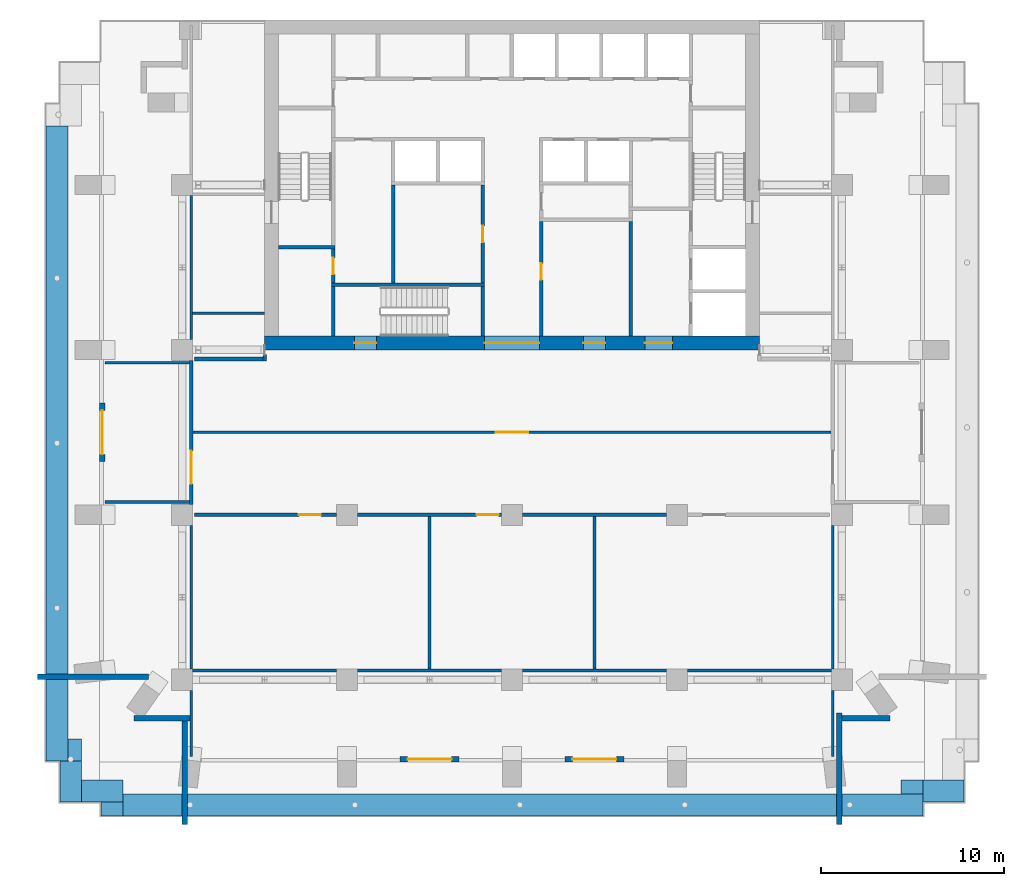
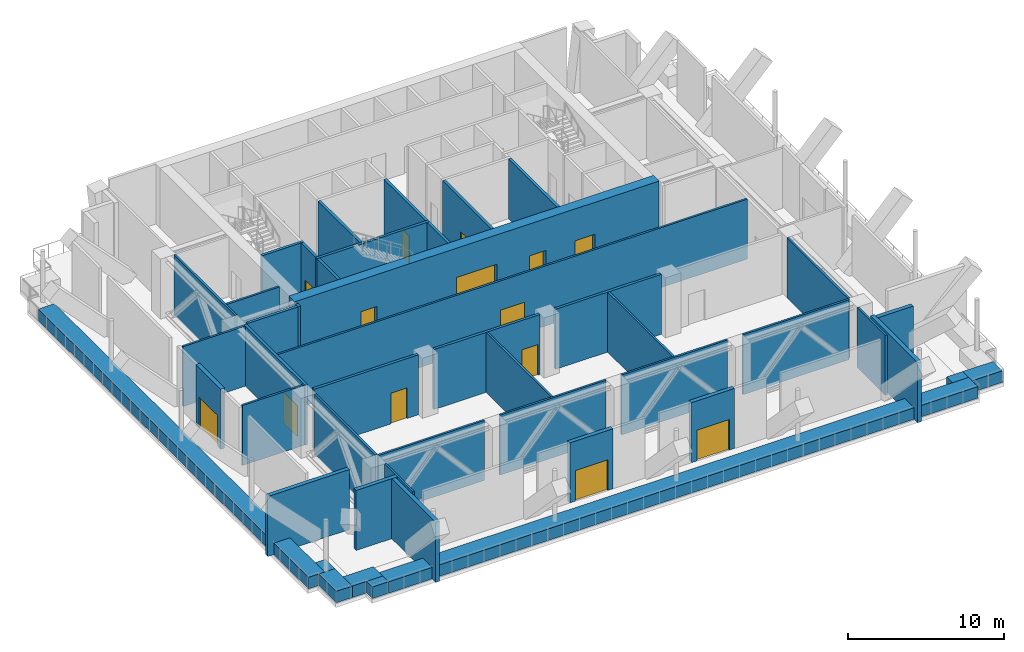
# One storey, part 3 of 9: 47 walls, 14 doors, 14 openings.
"""IFC4 building model written with IfcOpenShell, lengths in metres."""

from ifc_helpers import new_model, si_unit, direction, frame, frame_2d, origin, place, context, subcontext, project, spatial, rectangle, extrude, material, layer, layer_set, type_object, element, fill, save


model = new_model("IFC4")

# Units and contexts
model_context = context("Model", 3, precision=1e-05, world=origin(), true_north=direction((0.0, 1.0)))
body_context = subcontext(model_context, "Body", "Model", "MODEL_VIEW")
ifc_project = project(units=[si_unit("LENGTHUNIT", "METRE"), si_unit("AREAUNIT", "SQUARE_METRE"), si_unit("VOLUMEUNIT", "CUBIC_METRE"), si_unit("PLANEANGLEUNIT", "RADIAN"), si_unit("MASSUNIT", "GRAM", prefix="KILO")], contexts=[model_context])

# Site, building, storey
site_placement = place(None, origin())
site = spatial("IfcSite", under=ifc_project, at=site_placement, CompositionType="ELEMENT")
building_placement = place(site_placement, origin())
building = spatial("IfcBuilding", under=site, at=building_placement, Name="Orbiselva Terraces", CompositionType="ELEMENT")
storey_placement = place(building_placement, frame((0.0, 0.0, 179.4)))
storey = spatial("IfcBuildingStorey", under=building, at=storey_placement, Name="L45", CompositionType="ELEMENT", Elevation=179.4)

# Wall, openings, doors
ifc_material_1 = material(Name="Concrete C80/95", Category="concrete")
ifc_layer_1 = layer(ifc_material_1, 0.75)
ifc_layer_set_1 = layer_set([ifc_layer_1], Name="Concrete C80/95")
wall_type_1 = type_object("IfcWallType", Name="CORE WALL 750", PredefinedType="SHEAR", material=ifc_layer_set_1)
wall_1_placement = place(storey_placement, frame((-13.5, 4.875, -0.3), z_axis=(0.0, 0.0, 1.0), x_axis=(1.0, 0.0, 0.0)))
wall_1 = element("IfcWall", 1, at=wall_1_placement, inside=storey, type_object=wall_type_1, Name="Core wall L45 south", PredefinedType="SHEAR", context=body_context, shape_type="SweptSolid", body=[
    extrude(rectangle(XDim=27.0, YDim=0.75, at=frame_2d((13.5, 0.0))), origin(), (0.0, 0.0, 1.0), 5.0),
])
opening_1_placement = place(wall_1_placement, frame((12.0, 0.0, 0.3)))
opening_1 = element("IfcOpeningElement", 2, at=opening_1_placement, cuts=wall_1, Name="Opening DL3000", PredefinedType="OPENING", context=body_context, shape_type="SweptSolid", body=[
    extrude(rectangle(XDim=3.0, YDim=2.4, at=frame_2d((1.5, 1.2))), frame((0.0, 0.385, 0.0), z_axis=(0.0, -1.0, 0.0), x_axis=(1.0, 0.0, 0.0)), (0.0, 0.0, 1.0), 0.77),
])
opening_2_placement = place(wall_1_placement, frame((4.9, 0.0, 0.3)))
opening_2 = element("IfcOpeningElement", 3, at=opening_2_placement, cuts=wall_1, Name="Opening DS1200", PredefinedType="OPENING", context=body_context, shape_type="SweptSolid", body=[
    extrude(rectangle(XDim=1.2, YDim=2.2, at=frame_2d((0.6, 1.1))), frame((0.0, 0.385, 0.0), z_axis=(0.0, -1.0, 0.0), x_axis=(1.0, 0.0, 0.0)), (0.0, 0.0, 1.0), 0.77),
])
opening_3_placement = place(wall_1_placement, frame((20.75, 0.0, 0.3)))
opening_3 = element("IfcOpeningElement", 4, at=opening_3_placement, cuts=wall_1, Name="Opening DF1500", PredefinedType="OPENING", context=body_context, shape_type="SweptSolid", body=[
    extrude(rectangle(XDim=1.5, YDim=2.2, at=frame_2d((0.75, 1.1))), frame((0.0, 0.385, 0.0), z_axis=(0.0, -1.0, 0.0), x_axis=(1.0, 0.0, 0.0)), (0.0, 0.0, 1.0), 0.77),
])
opening_4_placement = place(wall_1_placement, frame((17.4, 0.0, 0.3)))
opening_4 = element("IfcOpeningElement", 5, at=opening_4_placement, cuts=wall_1, Name="Opening DV1200", PredefinedType="OPENING", context=body_context, shape_type="SweptSolid", body=[
    extrude(rectangle(XDim=1.2, YDim=2.2, at=frame_2d((0.6, 1.1))), frame((0.0, 0.385, 0.0), z_axis=(0.0, -1.0, 0.0), x_axis=(1.0, 0.0, 0.0)), (0.0, 0.0, 1.0), 0.77),
])
ifc_material_2 = material(Name="Steel fire door", Category="steel")
door_type_1 = type_object("IfcDoorType", Name="FFL DOOR 1500", OperationType="DOUBLE_DOOR_SINGLE_SWING", PredefinedType="DOOR", material=ifc_material_2)
door_1_placement = place(opening_3_placement, frame((1.5, 0.0, 0.0), z_axis=(0.0, 0.0, 1.0), x_axis=(-1.0, 0.0, 0.0)))
door_1 = element("IfcDoor", 6, at=door_1_placement, inside=storey, type_object=door_type_1, Name="L45 FIRE-FIGHTING LOBBY door", OperationType="DOUBLE_DOOR_SINGLE_SWING", OverallHeight=2.2, OverallWidth=1.5, PredefinedType="DOOR", context=body_context, shape_type="SweptSolid", body=[
    extrude(rectangle(XDim=1.5, YDim=2.2, at=frame_2d((0.75, 1.1))), frame((0.0, 0.025, 0.0), z_axis=(0.0, -1.0, 0.0), x_axis=(1.0, 0.0, 0.0)), (0.0, 0.0, 1.0), 0.05),
])
fill(opening_3, door_1)
door_type_2 = type_object("IfcDoorType", Name="LOBBY DOOR 3000", OperationType="DOUBLE_DOOR_SINGLE_SWING", PredefinedType="DOOR", material=ifc_material_2)
door_2_placement = place(opening_1_placement, frame((3.0, 0.0, 0.0), z_axis=(0.0, 0.0, 1.0), x_axis=(-1.0, 0.0, 0.0)))
door_2 = element("IfcDoor", 7, at=door_2_placement, inside=storey, type_object=door_type_2, Name="L45 LIFT LOBBY door", OperationType="DOUBLE_DOOR_SINGLE_SWING", OverallHeight=2.4, OverallWidth=3.0, PredefinedType="DOOR", context=body_context, shape_type="SweptSolid", body=[
    extrude(rectangle(XDim=3.0, YDim=2.4, at=frame_2d((1.5, 1.2))), frame((0.0, 0.025, 0.0), z_axis=(0.0, -1.0, 0.0), x_axis=(1.0, 0.0, 0.0)), (0.0, 0.0, 1.0), 0.05),
])
fill(opening_1, door_2)
door_type_3 = type_object("IfcDoorType", Name="SERVICE DOOR 1200", OperationType="NOTDEFINED", PredefinedType="DOOR", material=ifc_material_2)
door_3_placement = place(opening_4_placement, frame((1.2, 0.0, 0.0), z_axis=(0.0, 0.0, 1.0), x_axis=(-1.0, 0.0, 0.0)))
door_3 = element("IfcDoor", 8, at=door_3_placement, inside=storey, type_object=door_type_3, Name="L45 CHILLED WATER PUMP ROOM door", OperationType="SINGLE_SWING_RIGHT", OverallHeight=2.2, OverallWidth=1.2, PredefinedType="DOOR", context=body_context, shape_type="SweptSolid", body=[
    extrude(rectangle(XDim=1.2, YDim=2.2, at=frame_2d((0.6, 1.1))), frame((0.0, 0.025, 0.0), z_axis=(0.0, -1.0, 0.0), x_axis=(1.0, 0.0, 0.0)), (0.0, 0.0, 1.0), 0.05),
])
fill(opening_4, door_3)
door_type_4 = type_object("IfcDoorType", Name="STAIR DOOR 1200", OperationType="NOTDEFINED", PredefinedType="DOOR", material=ifc_material_2)
door_4_placement = place(opening_2_placement, frame((1.2, 0.0, 0.0), z_axis=(0.0, 0.0, 1.0), x_axis=(-1.0, 0.0, 0.0)))
door_4 = element("IfcDoor", 9, at=door_4_placement, inside=storey, type_object=door_type_4, Name="L45 EXIT STAIR S3 door", OperationType="SINGLE_SWING_LEFT", OverallHeight=2.2, OverallWidth=1.2, PredefinedType="DOOR", context=body_context, shape_type="SweptSolid", body=[
    extrude(rectangle(XDim=1.2, YDim=2.2, at=frame_2d((0.6, 1.1))), frame((0.0, 0.025, 0.0), z_axis=(0.0, -1.0, 0.0), x_axis=(1.0, 0.0, 0.0)), (0.0, 0.0, 1.0), 0.05),
])
fill(opening_2, door_4)

# Wall, opening, door
ifc_material_3 = material(Name="Masonry blockwork", Category="masonry")
ifc_layer_2 = layer(ifc_material_3, 0.2)
ifc_layer_set_2 = layer_set([ifc_layer_2], Name="Masonry blockwork")
wall_type_2 = type_object("IfcWallType", Name="CORE-WALL-PARTITION-200", PredefinedType="PARTITIONING", material=ifc_layer_set_2)
wall_2_placement = place(storey_placement, frame((-9.75, 8.15, 0.0), z_axis=(0.0, 0.0, 1.0), x_axis=(0.0, 1.0, 0.0)))
wall_2 = element("IfcWall", 10, at=wall_2_placement, inside=storey, type_object=wall_type_2, Name="L45 core wall 05", PredefinedType="PARTITIONING", context=body_context, shape_type="SweptSolid", body=[
    extrude(rectangle(XDim=1.85, YDim=0.2, at=frame_2d((0.925, 0.0))), origin(), (0.0, 0.0, 1.0), 4.7),
])
opening_5_placement = place(wall_2_placement, frame((0.475, 0.0, 0.0)))
opening_5 = element("IfcOpeningElement", 11, at=opening_5_placement, cuts=wall_2, Name="Opening DR900", PredefinedType="OPENING", context=body_context, shape_type="SweptSolid", body=[
    extrude(rectangle(XDim=0.9, YDim=2.1, at=frame_2d((0.45, 1.05))), frame((0.0, 0.11, 0.0), z_axis=(0.0, -1.0, 0.0), x_axis=(1.0, 0.0, 0.0)), (0.0, 0.0, 1.0), 0.22),
])
door_type_5 = type_object("IfcDoorType", Name="ROOM DOOR 900", OperationType="NOTDEFINED", PredefinedType="DOOR", material=ifc_material_2)
door_5_placement = place(opening_5_placement, origin())
door_5 = element("IfcDoor", 12, at=door_5_placement, inside=storey, type_object=door_type_5, Name="L45 ELECTRICAL SWITCH ROOM door", OperationType="SINGLE_SWING_RIGHT", OverallHeight=2.1, OverallWidth=0.9, PredefinedType="DOOR", context=body_context, shape_type="SweptSolid", body=[
    extrude(rectangle(XDim=0.9, YDim=2.1, at=frame_2d((0.45, 1.05))), frame((0.0, 0.025, 0.0), z_axis=(0.0, -1.0, 0.0), x_axis=(1.0, 0.0, 0.0)), (0.0, 0.0, 1.0), 0.05),
])
fill(opening_5, door_5)

# Walls
wall_3_placement = place(storey_placement, frame((-6.475, 8.15, 0.0), z_axis=(0.0, 0.0, 1.0), x_axis=(0.0, 1.0, 0.0)))
element("IfcWall", 13, at=wall_3_placement, inside=storey, type_object=wall_type_2, Name="L45 core wall 13", PredefinedType="PARTITIONING", context=body_context, shape_type="SweptSolid", body=[
    extrude(rectangle(XDim=5.35, YDim=0.2, at=frame_2d((2.675, 0.0))), origin(), (0.0, 0.0, 1.0), 4.7),
])
ifc_material_4 = material(Name="Concrete C60/75", Category="concrete")
ifc_layer_3 = layer(ifc_material_4, 0.2)
ifc_layer_set_3 = layer_set([ifc_layer_3], Name="Concrete C60/75")
wall_type_3 = type_object("IfcWallType", Name="CORE-WALL-SHEAR-200", PredefinedType="SHEAR", material=ifc_layer_set_3)
wall_4_placement = place(storey_placement, frame((-12.75, 10.1, 0.0), z_axis=(0.0, 0.0, 1.0), x_axis=(1.0, 0.0, 0.0)))
element("IfcWall", 14, at=wall_4_placement, inside=storey, type_object=wall_type_3, Name="L45 core wall 01", PredefinedType="SHEAR", context=body_context, shape_type="SweptSolid", body=[
    extrude(rectangle(XDim=3.1, YDim=0.2, at=frame_2d((1.55, 0.0))), origin(), (0.0, 0.0, 1.0), 4.7),
])
wall_5_placement = place(storey_placement, frame((-9.75, 5.25, 0.0), z_axis=(0.0, 0.0, 1.0), x_axis=(0.0, 1.0, 0.0)))
element("IfcWall", 15, at=wall_5_placement, inside=storey, type_object=wall_type_3, Name="L45 core wall 03", PredefinedType="SHEAR", context=body_context, shape_type="SweptSolid", body=[
    extrude(rectangle(XDim=2.7, YDim=0.2, at=frame_2d((1.35, 0.0))), origin(), (0.0, 0.0, 1.0), 4.7),
])
wall_6_placement = place(storey_placement, frame((-9.85, 8.05, 0.0), z_axis=(0.0, 0.0, 1.0), x_axis=(1.0, 0.0, 0.0)))
element("IfcWall", 16, at=wall_6_placement, inside=storey, type_object=wall_type_3, Name="L45 core wall 04", PredefinedType="SHEAR", context=body_context, shape_type="SweptSolid", body=[
    extrude(rectangle(XDim=8.35, YDim=0.2, at=frame_2d((4.175, 0.0))), origin(), (0.0, 0.0, 1.0), 4.7),
])
wall_7_placement = place(storey_placement, frame((-1.6, 5.25, 0.0), z_axis=(0.0, 0.0, 1.0), x_axis=(0.0, 1.0, 0.0)))
element("IfcWall", 17, at=wall_7_placement, inside=storey, type_object=wall_type_3, Name="L45 core wall 18", PredefinedType="SHEAR", context=body_context, shape_type="SweptSolid", body=[
    extrude(rectangle(XDim=2.7, YDim=0.2, at=frame_2d((1.35, 0.0))), origin(), (0.0, 0.0, 1.0), 4.7),
])

# Wall, opening, door
wall_8_placement = place(storey_placement, frame((-1.6, 8.15, 0.0), z_axis=(0.0, 0.0, 1.0), x_axis=(0.0, 1.0, 0.0)))
wall_8 = element("IfcWall", 18, at=wall_8_placement, inside=storey, type_object=wall_type_3, Name="L45 core wall 19", PredefinedType="SHEAR", context=body_context, shape_type="SweptSolid", body=[
    extrude(rectangle(XDim=5.35, YDim=0.2, at=frame_2d((2.675, 0.0))), origin(), (0.0, 0.0, 1.0), 4.7),
])
opening_6_placement = place(wall_8_placement, frame((2.225, 0.0, 0.0)))
opening_6 = element("IfcOpeningElement", 19, at=opening_6_placement, cuts=wall_8, Name="Opening DR900", PredefinedType="OPENING", context=body_context, shape_type="SweptSolid", body=[
    extrude(rectangle(XDim=0.9, YDim=2.1, at=frame_2d((0.45, 1.05))), frame((0.0, 0.11, 0.0), z_axis=(0.0, -1.0, 0.0), x_axis=(1.0, 0.0, 0.0)), (0.0, 0.0, 1.0), 0.22),
])
door_6_placement = place(opening_6_placement, origin())
door_6 = element("IfcDoor", 20, at=door_6_placement, inside=storey, type_object=door_type_5, Name="L45 AIR HANDLING ROOM door", OperationType="SINGLE_SWING_RIGHT", OverallHeight=2.1, OverallWidth=0.9, PredefinedType="DOOR", context=body_context, shape_type="SweptSolid", body=[
    extrude(rectangle(XDim=0.9, YDim=2.1, at=frame_2d((0.45, 1.05))), frame((0.0, 0.025, 0.0), z_axis=(0.0, -1.0, 0.0), x_axis=(1.0, 0.0, 0.0)), (0.0, 0.0, 1.0), 0.05),
])
fill(opening_6, door_6)

wall_9_placement = place(storey_placement, frame((1.6, 11.5, 0.0), z_axis=(0.0, 0.0, 1.0), x_axis=(0.0, -1.0, 0.0)))
wall_9 = element("IfcWall", 21, at=wall_9_placement, inside=storey, type_object=wall_type_3, Name="L45 core wall 22", PredefinedType="SHEAR", context=body_context, shape_type="SweptSolid", body=[
    extrude(rectangle(XDim=6.25, YDim=0.2, at=frame_2d((3.125, 0.0))), origin(), (0.0, 0.0, 1.0), 4.7),
])
opening_7_placement = place(wall_9_placement, frame((2.275, 0.0, 0.0)))
opening_7 = element("IfcOpeningElement", 22, at=opening_7_placement, cuts=wall_9, Name="Opening DR900", PredefinedType="OPENING", context=body_context, shape_type="SweptSolid", body=[
    extrude(rectangle(XDim=0.9, YDim=2.1, at=frame_2d((0.45, 1.05))), frame((0.0, 0.11, 0.0), z_axis=(0.0, -1.0, 0.0), x_axis=(1.0, 0.0, 0.0)), (0.0, 0.0, 1.0), 0.22),
])
door_7_placement = place(opening_7_placement, origin())
door_7 = element("IfcDoor", 23, at=door_7_placement, inside=storey, type_object=door_type_5, Name="L45 CHILLED WATER PUMP ROOM door", OperationType="SINGLE_SWING_LEFT", OverallHeight=2.1, OverallWidth=0.9, PredefinedType="DOOR", context=body_context, shape_type="SweptSolid", body=[
    extrude(rectangle(XDim=0.9, YDim=2.1, at=frame_2d((0.45, 1.05))), frame((0.0, 0.025, 0.0), z_axis=(0.0, -1.0, 0.0), x_axis=(1.0, 0.0, 0.0)), (0.0, 0.0, 1.0), 0.05),
])
fill(opening_7, door_7)

# Walls
wall_10_placement = place(storey_placement, frame((6.475, 5.25, 0.0), z_axis=(0.0, 0.0, 1.0), x_axis=(0.0, 1.0, 0.0)))
element("IfcWall", 24, at=wall_10_placement, inside=storey, type_object=wall_type_3, Name="L45 core wall 31", PredefinedType="SHEAR", context=body_context, shape_type="SweptSolid", body=[
    extrude(rectangle(XDim=6.25, YDim=0.2, at=frame_2d((3.125, 0.0))), origin(), (0.0, 0.0, 1.0), 4.7),
])
ifc_material_5 = material(Name="Concrete C40/50", Category="concrete")
ifc_layer_4 = layer(ifc_material_5, 1.2)
ifc_layer_set_4 = layer_set([ifc_layer_4], Name="Concrete C40/50")
wall_type_4 = type_object("IfcWallType", Name="ENV-GARDEN-BED-1200x900", PredefinedType="USERDEFINED", material=ifc_layer_set_4)
wall_11_placement = place(storey_placement, frame((-24.83, 16.73, 0.0), z_axis=(0.0, 0.0, 1.0), x_axis=(0.0, -1.0, 0.0)))
element("IfcWall", 25, at=wall_11_placement, inside=storey, type_object=wall_type_4, Name="Planter bed L45 ring", ObjectType="PLANTER", PredefinedType="USERDEFINED", context=body_context, shape_type="SweptSolid", body=[
    extrude(rectangle(XDim=34.66, YDim=1.2, at=frame_2d((17.33, 0.0))), origin(), (0.0, 0.0, 1.0), 0.9),
])
wall_12_placement = place(storey_placement, frame((-24.23, -17.33, 0.0), z_axis=(0.0, 0.0, 1.0), x_axis=(1.0, 0.0, 0.0)))
element("IfcWall", 26, at=wall_12_placement, inside=storey, type_object=wall_type_4, Name="Planter bed L45 ring", ObjectType="PLANTER", PredefinedType="USERDEFINED", context=body_context, shape_type="SweptSolid", body=[
    extrude(rectangle(XDim=0.75, YDim=1.2, at=frame_2d((0.375, 0.0))), origin(), (0.0, 0.0, 1.0), 0.9),
])
for number, where, z_axis, x_axis, name in (
    (27, (-24.08, -17.93, 0.0), (0.0, 0.0, 1.0), (0.0, -1.0, 0.0), "Planter bed L45 ring"),
    (28, (-23.48, -19.58, 0.0), (0.0, 0.0, 1.0), (1.0, 0.0, 0.0), "Planter bed L45 ring"),
):
    element("IfcWall", number, at=place(storey_placement, frame(where, z_axis=z_axis, x_axis=x_axis)), inside=storey, type_object=wall_type_4, Name=name, ObjectType="PLANTER", PredefinedType="USERDEFINED", context=body_context, shape_type="SweptSolid", body=[
        extrude(rectangle(XDim=2.25, YDim=1.2, at=frame_2d((1.125, 0.0))), origin(), (0.0, 0.0, 1.0), 0.9),
    ])
wall_13_placement = place(storey_placement, frame((-21.83, -20.18, 0.0), z_axis=(0.0, 0.0, 1.0), x_axis=(0.0, -1.0, 0.0)))
element("IfcWall", 29, at=wall_13_placement, inside=storey, type_object=wall_type_4, Name="Planter bed L45 ring", ObjectType="PLANTER", PredefinedType="USERDEFINED", context=body_context, shape_type="SweptSolid", body=[
    extrude(rectangle(XDim=0.75, YDim=1.2, at=frame_2d((0.375, 0.0))), origin(), (0.0, 0.0, 1.0), 0.9),
])
wall_14_placement = place(storey_placement, frame((-21.23, -20.33, 0.0), z_axis=(0.0, 0.0, 1.0), x_axis=(1.0, 0.0, 0.0)))
element("IfcWall", 30, at=wall_14_placement, inside=storey, type_object=wall_type_4, Name="Planter bed L45 ring", ObjectType="PLANTER", PredefinedType="USERDEFINED", context=body_context, shape_type="SweptSolid", body=[
    extrude(rectangle(XDim=43.66, YDim=1.2, at=frame_2d((21.83, 0.0))), origin(), (0.0, 0.0, 1.0), 0.9),
])
wall_15_placement = place(storey_placement, frame((21.83, -19.73, 0.0), z_axis=(0.0, 0.0, 1.0), x_axis=(0.0, 1.0, 0.0)))
element("IfcWall", 31, at=wall_15_placement, inside=storey, type_object=wall_type_4, Name="Planter bed L45 ring", ObjectType="PLANTER", PredefinedType="USERDEFINED", context=body_context, shape_type="SweptSolid", body=[
    extrude(rectangle(XDim=0.75, YDim=1.2, at=frame_2d((0.375, 0.0))), origin(), (0.0, 0.0, 1.0), 0.9),
])
wall_16_placement = place(storey_placement, frame((22.43, -19.58, 0.0), z_axis=(0.0, 0.0, 1.0), x_axis=(1.0, 0.0, 0.0)))
element("IfcWall", 32, at=wall_16_placement, inside=storey, type_object=wall_type_4, Name="Planter bed L45 ring", ObjectType="PLANTER", PredefinedType="USERDEFINED", context=body_context, shape_type="SweptSolid", body=[
    extrude(rectangle(XDim=2.25, YDim=1.2, at=frame_2d((1.125, 0.0))), origin(), (0.0, 0.0, 1.0), 0.9),
])

# Wall, opening, door
ifc_material_6 = material(Name="Terracotta cladding on masonry backing", Category="masonry")
ifc_layer_5 = layer(ifc_material_6, 0.3)
ifc_layer_set_5 = layer_set([ifc_layer_5], Name="Terracotta cladding on masonry backing")
wall_type_5 = type_object("IfcWallType", Name="ENV-WALL-TERRACOTTA-300", PredefinedType="SOLIDWALL", material=ifc_layer_set_5)
wall_17_placement = place(storey_placement, frame((-2.9, -17.85, 0.0), z_axis=(0.0, 0.0, 1.0), x_axis=(-1.0, 0.0, 0.0)))
wall_17 = element("IfcWall", 33, at=wall_17_placement, inside=storey, type_object=wall_type_5, Name="Facade wall L45 S", PredefinedType="SOLIDWALL", context=body_context, shape_type="SweptSolid", body=[
    extrude(rectangle(XDim=3.2, YDim=0.3, at=frame_2d((1.6, 0.0))), origin(), (0.0, 0.0, 1.0), 4.7),
])
opening_8_placement = place(wall_17_placement, frame((0.4, 0.0, 0.0)))
opening_8 = element("IfcOpeningElement", 34, at=opening_8_placement, cuts=wall_17, Name="Opening PLANT-R2-E01", PredefinedType="OPENING", context=body_context, shape_type="SweptSolid", body=[
    extrude(rectangle(XDim=2.4, YDim=2.4, at=frame_2d((1.2, 1.2))), frame((0.0, 0.16, 0.0), z_axis=(0.0, -1.0, 0.0), x_axis=(1.0, 0.0, 0.0)), (0.0, 0.0, 1.0), 0.32),
])
ifc_material_7 = material(Name="Clear low-e glazing in aluminium frame", Category="aluminium")
door_type_6 = type_object("IfcDoorType", Name="TERRACE DOOR 2400 X 2400", OperationType="DOUBLE_DOOR_SINGLE_SWING", PredefinedType="DOOR", material=ifc_material_7)
door_8_placement = place(opening_8_placement, origin())
door_8 = element("IfcDoor", 35, at=door_8_placement, inside=storey, type_object=door_type_6, Name="PLANT-R2-E01", OperationType="SINGLE_SWING_LEFT", OverallHeight=2.4, OverallWidth=2.4, PredefinedType="DOOR", context=body_context, shape_type="SweptSolid", body=[
    extrude(rectangle(XDim=2.4, YDim=2.4, at=frame_2d((1.2, 1.2))), frame((0.0, 0.025, 0.0), z_axis=(0.0, -1.0, 0.0), x_axis=(1.0, 0.0, 0.0)), (0.0, 0.0, 1.0), 0.05),
])
fill(opening_8, door_8)

wall_18_placement = place(storey_placement, frame((6.1, -17.85, 0.0), z_axis=(0.0, 0.0, 1.0), x_axis=(-1.0, 0.0, 0.0)))
wall_18 = element("IfcWall", 36, at=wall_18_placement, inside=storey, type_object=wall_type_5, Name="Facade wall L45 S", PredefinedType="SOLIDWALL", context=body_context, shape_type="SweptSolid", body=[
    extrude(rectangle(XDim=3.2, YDim=0.3, at=frame_2d((1.6, 0.0))), origin(), (0.0, 0.0, 1.0), 4.7),
])
opening_9_placement = place(wall_18_placement, frame((0.4, 0.0, 0.0)))
opening_9 = element("IfcOpeningElement", 37, at=opening_9_placement, cuts=wall_18, Name="Opening PLANT-R2-E02", PredefinedType="OPENING", context=body_context, shape_type="SweptSolid", body=[
    extrude(rectangle(XDim=2.4, YDim=2.4, at=frame_2d((1.2, 1.2))), frame((0.0, 0.16, 0.0), z_axis=(0.0, -1.0, 0.0), x_axis=(1.0, 0.0, 0.0)), (0.0, 0.0, 1.0), 0.32),
])
door_9_placement = place(opening_9_placement, origin())
door_9 = element("IfcDoor", 38, at=door_9_placement, inside=storey, type_object=door_type_6, Name="PLANT-R2-E02", OperationType="SINGLE_SWING_LEFT", OverallHeight=2.4, OverallWidth=2.4, PredefinedType="DOOR", context=body_context, shape_type="SweptSolid", body=[
    extrude(rectangle(XDim=2.4, YDim=2.4, at=frame_2d((1.2, 1.2))), frame((0.0, 0.025, 0.0), z_axis=(0.0, -1.0, 0.0), x_axis=(1.0, 0.0, 0.0)), (0.0, 0.0, 1.0), 0.05),
])
fill(opening_9, door_9)

# Walls
wall_19_placement = place(storey_placement, frame((17.85, -15.325, 0.0), z_axis=(0.0, 0.0, 1.0), x_axis=(0.0, -1.0, 0.0)))
element("IfcWall", 39, at=wall_19_placement, inside=storey, type_object=wall_type_5, Name="Facade wall L45 STEP", PredefinedType="SOLIDWALL", context=body_context, shape_type="SweptSolid", body=[
    extrude(rectangle(XDim=6.063385, YDim=0.3, at=frame_2d((3.031692, 0.0))), origin(), (0.0, 0.0, 1.0), 4.7),
])
wall_20_placement = place(storey_placement, frame((20.638787, -15.6, 0.0), z_axis=(0.0, 0.0, 1.0), x_axis=(-1.0, 0.0, 0.0)))
element("IfcWall", 40, at=wall_20_placement, inside=storey, type_object=wall_type_5, Name="Facade wall L45 STEP", PredefinedType="SOLIDWALL", context=body_context, shape_type="SweptSolid", body=[
    extrude(rectangle(XDim=2.638787, YDim=0.3, at=frame_2d((1.319394, 0.0))), origin(), (0.0, 0.0, 1.0), 4.7),
])

# Wall, opening, door
wall_21_placement = place(storey_placement, frame((-22.35, -1.6, 0.0), z_axis=(0.0, 0.0, 1.0), x_axis=(0.0, 1.0, 0.0)))
wall_21 = element("IfcWall", 41, at=wall_21_placement, inside=storey, type_object=wall_type_5, Name="Facade wall L45 W", PredefinedType="SOLIDWALL", context=body_context, shape_type="SweptSolid", body=[
    extrude(rectangle(XDim=3.2, YDim=0.3, at=frame_2d((1.6, 0.0))), origin(), (0.0, 0.0, 1.0), 4.7),
])
opening_10_placement = place(wall_21_placement, frame((0.4, 0.0, 0.0)))
opening_10 = element("IfcOpeningElement", 42, at=opening_10_placement, cuts=wall_21, Name="Opening PLANT-R2-E04", PredefinedType="OPENING", context=body_context, shape_type="SweptSolid", body=[
    extrude(rectangle(XDim=2.4, YDim=2.4, at=frame_2d((1.2, 1.2))), frame((0.0, 0.16, 0.0), z_axis=(0.0, -1.0, 0.0), x_axis=(1.0, 0.0, 0.0)), (0.0, 0.0, 1.0), 0.32),
])
door_10_placement = place(opening_10_placement, origin())
door_10 = element("IfcDoor", 43, at=door_10_placement, inside=storey, type_object=door_type_6, Name="PLANT-R2-E04", OperationType="SINGLE_SWING_LEFT", OverallHeight=2.4, OverallWidth=2.4, PredefinedType="DOOR", context=body_context, shape_type="SweptSolid", body=[
    extrude(rectangle(XDim=2.4, YDim=2.4, at=frame_2d((1.2, 1.2))), frame((0.0, 0.025, 0.0), z_axis=(0.0, -1.0, 0.0), x_axis=(1.0, 0.0, 0.0)), (0.0, 0.0, 1.0), 0.05),
])
fill(opening_10, door_10)

# Walls
wall_22_placement = place(storey_placement, frame((-19.825, -13.35, 0.0), z_axis=(0.0, 0.0, 1.0), x_axis=(-1.0, 0.0, 0.0)))
element("IfcWall", 44, at=wall_22_placement, inside=storey, type_object=wall_type_5, Name="Facade wall L45 STEP", PredefinedType="SOLIDWALL", context=body_context, shape_type="SweptSolid", body=[
    extrude(rectangle(XDim=6.063385, YDim=0.3, at=frame_2d((3.031692, 0.0))), origin(), (0.0, 0.0, 1.0), 4.7),
])
wall_23_placement = place(storey_placement, frame((-17.575, -15.6, 0.0), z_axis=(0.0, 0.0, 1.0), x_axis=(-1.0, 0.0, 0.0)))
element("IfcWall", 45, at=wall_23_placement, inside=storey, type_object=wall_type_5, Name="Facade wall L45 STEP", PredefinedType="SOLIDWALL", context=body_context, shape_type="SweptSolid", body=[
    extrude(rectangle(XDim=3.063787, YDim=0.3, at=frame_2d((1.531894, 0.0))), origin(), (0.0, 0.0, 1.0), 4.7),
])
wall_24_placement = place(storey_placement, frame((-17.85, -21.388385, 0.0), z_axis=(0.0, 0.0, 1.0), x_axis=(0.0, 1.0, 0.0)))
element("IfcWall", 46, at=wall_24_placement, inside=storey, type_object=wall_type_5, Name="Facade wall L45 STEP", PredefinedType="SOLIDWALL", context=body_context, shape_type="SweptSolid", body=[
    extrude(rectangle(XDim=5.638385, YDim=0.3, at=frame_2d((2.819192, 0.0))), origin(), (0.0, 0.0, 1.0), 4.7),
])

# Wall, opening, door
ifc_material_8 = material(Name="Plasterboard on steel stud partition", Category="steel")
ifc_layer_6 = layer(ifc_material_8, 0.2)
ifc_layer_set_6 = layer_set([ifc_layer_6], Name="Plasterboard on steel stud partition")
wall_type_6 = type_object("IfcWallType", Name="UNIT-ENTRANCE-WALL-200", PredefinedType="PARTITIONING", material=ifc_layer_set_6)
wall_25_placement = place(storey_placement, frame((-9.575, -4.5, 0.0), z_axis=(0.0, 0.0, 1.0), x_axis=(-1.0, 0.0, 0.0)))
wall_25 = element("IfcWall", 47, at=wall_25_placement, inside=storey, type_object=wall_type_6, Name="PARTITION L45-005", PredefinedType="PARTITIONING", context=body_context, shape_type="SweptSolid", body=[
    extrude(rectangle(XDim=7.75, YDim=0.2, at=frame_2d((3.875, 0.0))), origin(), (0.0, 0.0, 1.0), 4.7),
])
opening_11_placement = place(wall_25_placement, frame((0.85, 0.0, 0.0)))
opening_11 = element("IfcOpeningElement", 48, at=opening_11_placement, cuts=wall_25, Name="Opening PLANT-R2-04", PredefinedType="OPENING", context=body_context, shape_type="SweptSolid", body=[
    extrude(rectangle(XDim=1.2, YDim=2.4, at=frame_2d((0.6, 1.2))), frame((0.0, 0.11, 0.0), z_axis=(0.0, -1.0, 0.0), x_axis=(1.0, 0.0, 0.0)), (0.0, 0.0, 1.0), 0.22),
])
ifc_material_9 = material(Name="Painted timber door leaf", Category="wood")
door_type_7 = type_object("IfcDoorType", Name="PLANT DOOR 1200", OperationType="NOTDEFINED", PredefinedType="DOOR", material=ifc_material_9)
door_11_placement = place(opening_11_placement, origin())
door_11 = element("IfcDoor", 49, at=door_11_placement, inside=storey, type_object=door_type_7, Name="PLANT-R2-04", OperationType="SINGLE_SWING_LEFT", OverallHeight=2.4, OverallWidth=1.2, PredefinedType="DOOR", context=body_context, shape_type="SweptSolid", body=[
    extrude(rectangle(XDim=1.2, YDim=2.4, at=frame_2d((0.6, 1.2))), frame((0.0, 0.025, 0.0), z_axis=(0.0, -1.0, 0.0), x_axis=(1.0, 0.0, 0.0)), (0.0, 0.0, 1.0), 0.05),
])
fill(opening_11, door_11)

wall_26_placement = place(storey_placement, frame((-0.575, -4.5, 0.0), z_axis=(0.0, 0.0, 1.0), x_axis=(-1.0, 0.0, 0.0)))
wall_26 = element("IfcWall", 50, at=wall_26_placement, inside=storey, type_object=wall_type_6, Name="PARTITION L45-006", PredefinedType="PARTITIONING", context=body_context, shape_type="SweptSolid", body=[
    extrude(rectangle(XDim=7.85, YDim=0.2, at=frame_2d((3.925, 0.0))), origin(), (0.0, 0.0, 1.0), 4.7),
])
opening_12_placement = place(wall_26_placement, frame((0.15, 0.0, 0.0)))
opening_12 = element("IfcOpeningElement", 51, at=opening_12_placement, cuts=wall_26, Name="Opening PLANT-R2-05", PredefinedType="OPENING", context=body_context, shape_type="SweptSolid", body=[
    extrude(rectangle(XDim=1.2, YDim=2.4, at=frame_2d((0.6, 1.2))), frame((0.0, 0.11, 0.0), z_axis=(0.0, -1.0, 0.0), x_axis=(1.0, 0.0, 0.0)), (0.0, 0.0, 1.0), 0.22),
])
door_12_placement = place(opening_12_placement, origin())
door_12 = element("IfcDoor", 52, at=door_12_placement, inside=storey, type_object=door_type_7, Name="PLANT-R2-05", OperationType="SINGLE_SWING_LEFT", OverallHeight=2.4, OverallWidth=1.2, PredefinedType="DOOR", context=body_context, shape_type="SweptSolid", body=[
    extrude(rectangle(XDim=1.2, YDim=2.4, at=frame_2d((0.6, 1.2))), frame((0.0, 0.025, 0.0), z_axis=(0.0, -1.0, 0.0), x_axis=(1.0, 0.0, 0.0)), (0.0, 0.0, 1.0), 0.05),
])
fill(opening_12, door_12)

# Walls
wall_27_placement = place(storey_placement, frame((0.575, -4.5, 0.0), z_axis=(0.0, 0.0, 1.0), x_axis=(1.0, 0.0, 0.0)))
element("IfcWall", 53, at=wall_27_placement, inside=storey, type_object=wall_type_6, Name="PARTITION L45-007", PredefinedType="PARTITIONING", context=body_context, shape_type="SweptSolid", body=[
    extrude(rectangle(XDim=7.85, YDim=0.2, at=frame_2d((3.925, 0.0))), origin(), (0.0, 0.0, 1.0), 4.7),
])
wall_28_placement = place(storey_placement, frame((-17.325, 4.0, 0.0), z_axis=(0.0, 0.0, 1.0), x_axis=(1.0, 0.0, 0.0)))
element("IfcWall", 54, at=wall_28_placement, inside=storey, type_object=wall_type_6, Name="PARTITION L45-014", PredefinedType="PARTITIONING", context=body_context, shape_type="SweptSolid", body=[
    extrude(rectangle(XDim=3.725, YDim=0.2, at=frame_2d((1.8625, 0.0))), origin(), (0.0, 0.0, 1.0), 4.7),
])

# Wall, opening, door
wall_29_placement = place(storey_placement, frame((-17.5, 3.925, 0.0), z_axis=(0.0, 0.0, 1.0), x_axis=(0.0, -1.0, 0.0)))
wall_29 = element("IfcWall", 55, at=wall_29_placement, inside=storey, type_object=wall_type_6, Name="PARTITION L45-020", PredefinedType="PARTITIONING", context=body_context, shape_type="SweptSolid", body=[
    extrude(rectangle(XDim=7.85, YDim=0.2, at=frame_2d((3.925, 0.0))), origin(), (0.0, 0.0, 1.0), 4.7),
])
opening_13_placement = place(wall_29_placement, frame((4.93, 0.0, 0.0)))
opening_13 = element("IfcOpeningElement", 56, at=opening_13_placement, cuts=wall_29, Name="Opening PLANT-R2-02", PredefinedType="OPENING", context=body_context, shape_type="SweptSolid", body=[
    extrude(rectangle(XDim=1.8, YDim=2.4, at=frame_2d((0.9, 1.2))), frame((0.0, 0.11, 0.0), z_axis=(0.0, -1.0, 0.0), x_axis=(1.0, 0.0, 0.0)), (0.0, 0.0, 1.0), 0.22),
])
door_type_8 = type_object("IfcDoorType", Name="DOUBLE DOOR 1800", OperationType="NOTDEFINED", PredefinedType="DOOR", material=ifc_material_9)
door_13_placement = place(opening_13_placement, origin())
door_13 = element("IfcDoor", 57, at=door_13_placement, inside=storey, type_object=door_type_8, Name="PLANT-R2-02", OperationType="DOUBLE_DOOR_SINGLE_SWING", OverallHeight=2.4, OverallWidth=1.8, PredefinedType="DOOR", context=body_context, shape_type="SweptSolid", body=[
    extrude(rectangle(XDim=1.8, YDim=2.4, at=frame_2d((0.9, 1.2))), frame((0.0, 0.025, 0.0), z_axis=(0.0, -1.0, 0.0), x_axis=(1.0, 0.0, 0.0)), (0.0, 0.0, 1.0), 0.05),
])
fill(opening_13, door_13)

# Walls
wall_30_placement = place(storey_placement, frame((-13.5, 3.9, 0.0), z_axis=(0.0, 0.0, 1.0), x_axis=(0.0, 1.0, 0.0)))
element("IfcWall", 58, at=wall_30_placement, inside=storey, type_object=wall_type_6, Name="PARTITION L45-025", PredefinedType="PARTITIONING", context=body_context, shape_type="SweptSolid", body=[
    extrude(rectangle(XDim=0.35, YDim=0.2, at=frame_2d((0.175, 0.0))), origin(), (0.0, 0.0, 1.0), 4.7),
])
ifc_layer_7 = layer(ifc_material_8, 0.15)
ifc_layer_set_7 = layer_set([ifc_layer_7], Name="Plasterboard on steel stud partition")
wall_type_7 = type_object("IfcWallType", Name="UNIT-PARTITION-150", PredefinedType="PARTITIONING", material=ifc_layer_set_7)
for number, where, z_axis, x_axis, name in (
    (59, (-17.425, -13.0, 0.0), (0.0, 0.0, 1.0), (1.0, 0.0, 0.0), "PARTITION L45-001"),
    (60, (-8.425, -13.0, 0.0), (0.0, 0.0, 1.0), (1.0, 0.0, 0.0), "PARTITION L45-002"),
    (61, (0.575, -13.0, 0.0), (0.0, 0.0, 1.0), (1.0, 0.0, 0.0), "PARTITION L45-003"),
    (62, (9.575, -13.0, 0.0), (0.0, 0.0, 1.0), (1.0, 0.0, 0.0), "PARTITION L45-004"),
):
    element("IfcWall", number, at=place(storey_placement, frame(where, z_axis=z_axis, x_axis=x_axis)), inside=storey, type_object=wall_type_7, Name=name, PredefinedType="PARTITIONING", context=body_context, shape_type="SweptSolid", body=[
        extrude(rectangle(XDim=7.85, YDim=0.15, at=frame_2d((3.925, 0.0))), origin(), (0.0, 0.0, 1.0), 4.7),
    ])
for number, where, z_axis, x_axis, name in (
    (63, (-22.2, -3.805, 0.0), (0.0, 0.0, 1.0), (1.0, 0.0, 0.0), "PARTITION L45-009"),
    (64, (-22.2, 3.805, 0.0), (0.0, 0.0, 1.0), (1.0, 0.0, 0.0), "PARTITION L45-012"),
):
    element("IfcWall", number, at=place(storey_placement, frame(where, z_axis=z_axis, x_axis=x_axis)), inside=storey, type_object=wall_type_7, Name=name, PredefinedType="PARTITIONING", context=body_context, shape_type="SweptSolid", body=[
        extrude(rectangle(XDim=4.6, YDim=0.15, at=frame_2d((2.3, 0.0))), origin(), (0.0, 0.0, 1.0), 4.7),
    ])
wall_31_placement = place(storey_placement, frame((-17.425, 6.5, 0.0), z_axis=(0.0, 0.0, 1.0), x_axis=(1.0, 0.0, 0.0)))
element("IfcWall", 65, at=wall_31_placement, inside=storey, type_object=wall_type_7, Name="PARTITION L45-016", PredefinedType="PARTITIONING", context=body_context, shape_type="SweptSolid", body=[
    extrude(rectangle(XDim=3.925, YDim=0.15, at=frame_2d((1.9625, 0.0))), origin(), (0.0, 0.0, 1.0), 4.7),
])
wall_32_placement = place(storey_placement, frame((-17.5, -17.7, 0.0), z_axis=(0.0, 0.0, 1.0), x_axis=(0.0, 1.0, 0.0)))
element("IfcWall", 66, at=wall_32_placement, inside=storey, type_object=wall_type_7, Name="PARTITION L45-021", PredefinedType="PARTITIONING", context=body_context, shape_type="SweptSolid", body=[
    extrude(rectangle(XDim=3.625, YDim=0.15, at=frame_2d((1.8125, 0.0))), origin(), (0.0, 0.0, 1.0), 4.7),
])
for number, where, z_axis, x_axis, name in (
    (67, (-17.5, -12.925, 0.0), (0.0, 0.0, 1.0), (0.0, 1.0, 0.0), "PARTITION L45-022"),
    (68, (-17.5, 5.075, 0.0), (0.0, 0.0, 1.0), (0.0, 1.0, 0.0), "PARTITION L45-023"),
):
    element("IfcWall", number, at=place(storey_placement, frame(where, z_axis=z_axis, x_axis=x_axis)), inside=storey, type_object=wall_type_7, Name=name, PredefinedType="PARTITIONING", context=body_context, shape_type="SweptSolid", body=[
        extrude(rectangle(XDim=7.85, YDim=0.15, at=frame_2d((3.925, 0.0))), origin(), (0.0, 0.0, 1.0), 4.7),
    ])
for number, where, z_axis, x_axis, name in (
    (69, (-4.5, -12.925, 0.0), (0.0, 0.0, 1.0), (0.0, 1.0, 0.0), "PARTITION L45-026"),
    (70, (4.5, -12.925, 0.0), (0.0, 0.0, 1.0), (0.0, 1.0, 0.0), "PARTITION L45-027"),
):
    element("IfcWall", number, at=place(storey_placement, frame(where, z_axis=z_axis, x_axis=x_axis)), inside=storey, type_object=wall_type_7, Name=name, PredefinedType="PARTITIONING", context=body_context, shape_type="SweptSolid", body=[
        extrude(rectangle(XDim=8.325, YDim=0.15, at=frame_2d((4.1625, 0.0))), origin(), (0.0, 0.0, 1.0), 4.7),
    ])
wall_33_placement = place(storey_placement, frame((17.5, -17.7, 0.0), z_axis=(0.0, 0.0, 1.0), x_axis=(0.0, 1.0, 0.0)))
element("IfcWall", 71, at=wall_33_placement, inside=storey, type_object=wall_type_7, Name="PARTITION L45-030", PredefinedType="PARTITIONING", context=body_context, shape_type="SweptSolid", body=[
    extrude(rectangle(XDim=3.625, YDim=0.15, at=frame_2d((1.8125, 0.0))), origin(), (0.0, 0.0, 1.0), 4.7),
])
wall_34_placement = place(storey_placement, frame((17.5, -12.925, 0.0), z_axis=(0.0, 0.0, 1.0), x_axis=(0.0, 1.0, 0.0)))
element("IfcWall", 72, at=wall_34_placement, inside=storey, type_object=wall_type_7, Name="PARTITION L45-031", PredefinedType="PARTITIONING", context=body_context, shape_type="SweptSolid", body=[
    extrude(rectangle(XDim=7.85, YDim=0.15, at=frame_2d((3.925, 0.0))), origin(), (0.0, 0.0, 1.0), 4.7),
])

# Wall, opening, door
ifc_layer_8 = layer(ifc_material_8, 0.15)
ifc_layer_set_8 = layer_set([ifc_layer_8], Name="Plasterboard on steel stud partition")
wall_type_8 = type_object("IfcWallType", Name="UNIT-PARTITION-FR-150", PredefinedType="PARTITIONING", material=ifc_layer_set_8)
wall_35_placement = place(storey_placement, frame((-17.4, 0.0, 0.0), z_axis=(0.0, 0.0, 1.0), x_axis=(1.0, 0.0, 0.0)))
wall_35 = element("IfcWall", 73, at=wall_35_placement, inside=storey, type_object=wall_type_8, Name="PARTITION L45-011", PredefinedType="PARTITIONING", context=body_context, shape_type="SweptSolid", body=[
    extrude(rectangle(XDim=34.8, YDim=0.15, at=frame_2d((17.4, 0.0))), origin(), (0.0, 0.0, 1.0), 4.7),
])
opening_14_placement = place(wall_35_placement, frame((16.5, 0.0, 0.0)))
opening_14 = element("IfcOpeningElement", 74, at=opening_14_placement, cuts=wall_35, Name="Opening PLANT-R2-01", PredefinedType="OPENING", context=body_context, shape_type="SweptSolid", body=[
    extrude(rectangle(XDim=1.8, YDim=2.4, at=frame_2d((0.9, 1.2))), frame((0.0, 0.085, 0.0), z_axis=(0.0, -1.0, 0.0), x_axis=(1.0, 0.0, 0.0)), (0.0, 0.0, 1.0), 0.17),
])
door_14_placement = place(opening_14_placement, origin())
door_14 = element("IfcDoor", 75, at=door_14_placement, inside=storey, type_object=door_type_8, Name="PLANT-R2-01", OperationType="DOUBLE_DOOR_SINGLE_SWING", OverallHeight=2.4, OverallWidth=1.8, PredefinedType="DOOR", context=body_context, shape_type="SweptSolid", body=[
    extrude(rectangle(XDim=1.8, YDim=2.4, at=frame_2d((0.9, 1.2))), frame((0.0, 0.025, 0.0), z_axis=(0.0, -1.0, 0.0), x_axis=(1.0, 0.0, 0.0)), (0.0, 0.0, 1.0), 0.05),
])
fill(opening_14, door_14)

save(model, "model.ifc")
